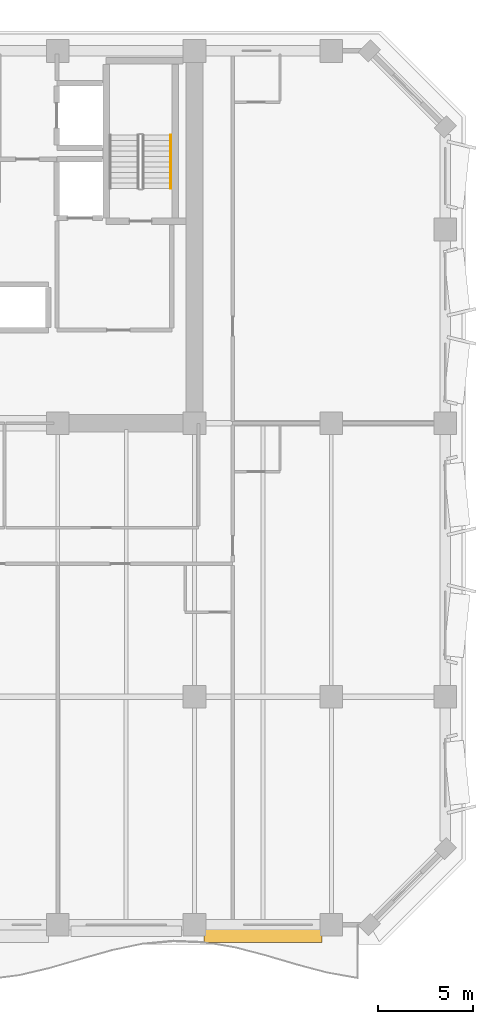
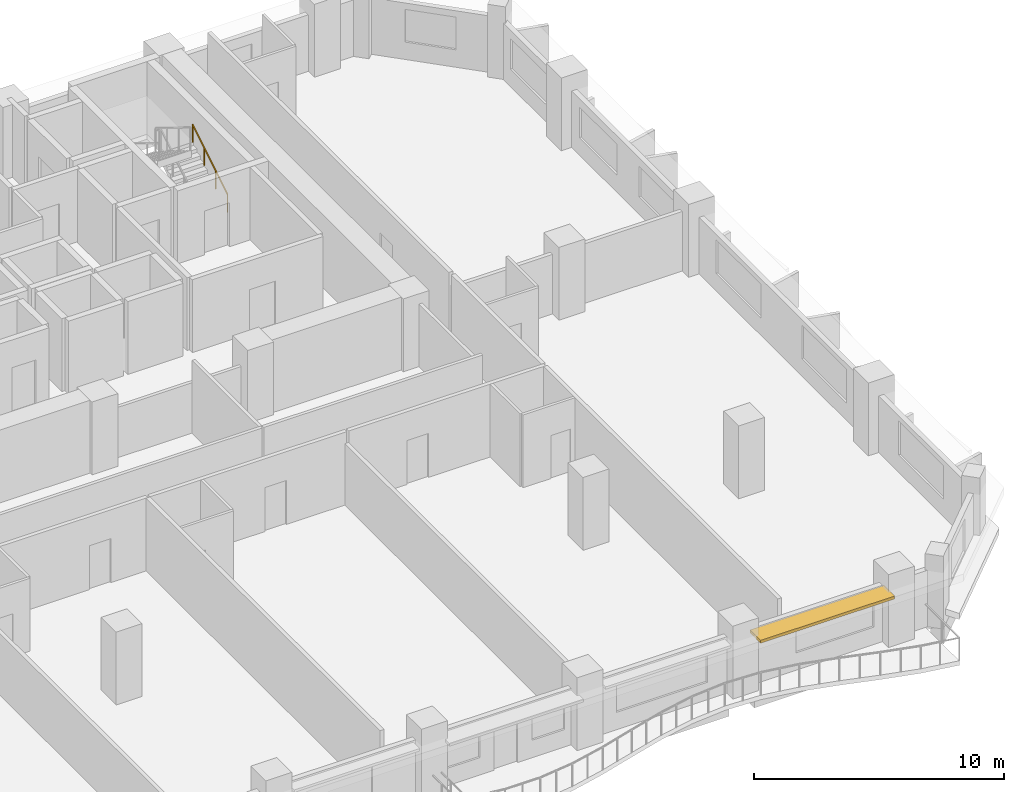
# One storey, part 14 of 14: 1 railing, 1 shading device.
"""IFC4 building model written with IfcOpenShell, lengths in metres."""

from ifc_helpers import new_model, si_unit, direction, frame, origin, origin_2d, place, context, subcontext, project, spatial, rectangle, extrude, material, layer, layer_set, type_object, element, save


model = new_model("IFC4")

# Units and contexts
model_context = context("Model", 3, precision=1e-05, world=origin(), true_north=direction((0.0, 1.0)))
body_context = subcontext(model_context, "Body", "Model", "MODEL_VIEW")
ifc_project = project(units=[si_unit("LENGTHUNIT", "METRE"), si_unit("AREAUNIT", "SQUARE_METRE"), si_unit("VOLUMEUNIT", "CUBIC_METRE"), si_unit("PLANEANGLEUNIT", "RADIAN"), si_unit("MASSUNIT", "GRAM", prefix="KILO")], contexts=[model_context])

# Site, building, storey
site_placement = place(None, origin())
site = spatial("IfcSite", under=ifc_project, at=site_placement, CompositionType="ELEMENT")
building_placement = place(site_placement, origin())
building = spatial("IfcBuilding", under=site, at=building_placement, Name="Kaelvorn Grand Hotel", CompositionType="ELEMENT")
storey_placement = place(building_placement, frame((0.0, 0.0, 193.949951171875)))
storey = spatial("IfcBuildingStorey", under=building, at=storey_placement, Name="L47", CompositionType="ELEMENT", Elevation=193.949951171875)

# Railing
ifc_material_1 = material(Name="Stainless Steel", Category="steel")
railing_type = type_object("IfcRailingType", Name="RL-HANDRAIL-900", PredefinedType="HANDRAIL", material=ifc_material_1)
railing_placement = place(storey_placement, frame((66.550048828125, 41.760009765625, 0.1728515625)))
element("IfcRailing", 1, at=railing_placement, inside=storey, type_object=railing_type, Name="L47 ST3 stair handrail 1", PredefinedType="HANDRAIL", context=body_context, shape_type="SweptSolid", body=[
    extrude(rectangle(XDim=0.048095703125, YDim=0.048095703125, at=origin_2d()), frame((0.0, 0.0, 0.8759765625), z_axis=(0.0, 0.851089632645, 0.525020415988), x_axis=(-1.0, 0.0, 0.0)), (0.0, 0.0, 1.0), 3.2900390625),
    extrude(rectangle(XDim=0.0419921875, YDim=0.0419921875, at=origin_2d()), origin(), (0.0, 0.0, 1.0), 0.851806640625),
    extrude(rectangle(XDim=0.0419921875, YDim=0.0419921875, at=origin_2d()), frame((0.0, 0.933349609375, 0.57568359375)), (0.0, 0.0, 1.0), 0.851806640625),
    extrude(rectangle(XDim=0.0419921875, YDim=0.0419921875, at=origin_2d()), frame((0.0, 1.86669921875, 1.151611328125)), (0.0, 0.0, 1.0), 0.851806640625),
    extrude(rectangle(XDim=0.0419921875, YDim=0.0419921875, at=origin_2d()), frame((0.0, 2.800048828125, 1.727294921875)), (0.0, 0.0, 1.0), 0.851806640625),
])

# Shading device
ifc_material_2 = material(Name="Precast concrete C45/55", Category="concrete")
ifc_layer = layer(ifc_material_2, 0.139892578125)
ifc_layer_set = layer_set([ifc_layer], Name="Precast concrete C45/55")
shading_device_type = type_object("IfcShadingDeviceType", Name="SHD-SUNSHADE-850", PredefinedType="USERDEFINED", material=ifc_layer_set)
shading_device_placement = place(storey_placement, frame((71.39990234375, 2.4951171875, 2.55029296875), z_axis=(0.0, 0.0, 1.0), x_axis=(1.0, 0.0, 0.0)))
element("IfcShadingDevice", 2, at=shading_device_placement, inside=storey, type_object=shading_device_type, Name="L47 Horizontal Concrete Sunshade Band SS-10", ObjectType="SUNSHADE", PredefinedType="USERDEFINED", context=body_context, shape_type="SweptSolid", body=[
    extrude(rectangle(XDim=6.199951171875, YDim=0.85009765625, at=origin_2d()), origin(), (0.0, 0.0, 1.0), 0.139892578125),
])

save(model, "model.ifc")
